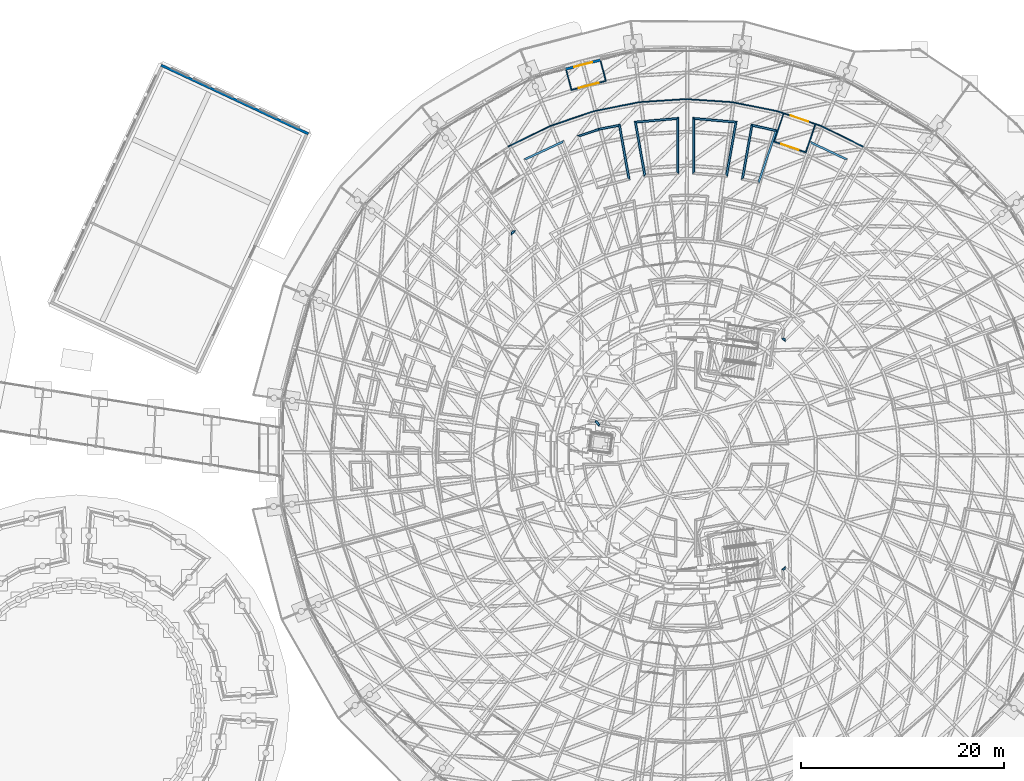
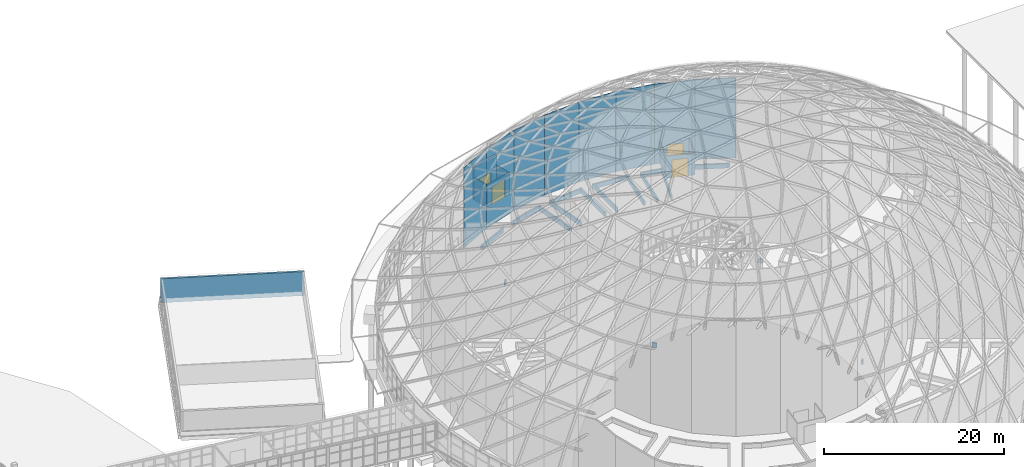
# One storey, part 181 of 226: 34 walls, 4 doors, 4 openings.
"""IFC4 building model written with IfcOpenShell, lengths in metres."""

from ifc_helpers import new_model, si_unit, direction, frame, frame_2d, origin, place, context, subcontext, project, spatial, polyline, rectangle, outline, extrude, material, layer, layer_set, type_object, element, fill, save


model = new_model("IFC4")

# Units and contexts
model_context = context("Model", 3, precision=1e-05, world=origin(), true_north=direction((0.0, 1.0)))
body_context = subcontext(model_context, "Body", "Model", "MODEL_VIEW")
ifc_project = project(units=[si_unit("LENGTHUNIT", "METRE"), si_unit("AREAUNIT", "SQUARE_METRE"), si_unit("VOLUMEUNIT", "CUBIC_METRE"), si_unit("PLANEANGLEUNIT", "RADIAN"), si_unit("MASSUNIT", "GRAM", prefix="KILO")], contexts=[model_context])

# Site, building, storey
site_placement = place(None, origin())
site = spatial("IfcSite", under=ifc_project, at=site_placement, CompositionType="ELEMENT")
building_placement = place(site_placement, origin())
building = spatial("IfcBuilding", under=site, at=building_placement, Name="Ceibo Conservatory and Research Tower", CompositionType="ELEMENT")
storey_placement = place(building_placement, origin())
storey = spatial("IfcBuildingStorey", under=building, at=storey_placement, Name="L00", CompositionType="ELEMENT", Elevation=0.0)

# Wall
ifc_material_1 = material(Name="Aluminium and glass", Category="aluminium")
ifc_layer_1 = layer(ifc_material_1, 0.10009765625)
ifc_layer_set_1 = layer_set([ifc_layer_1], Name="Aluminium and glass")
wall_type_1 = type_object("IfcWallType", Name="Airlock screen wall 100", PredefinedType="PARTITIONING", material=ifc_layer_set_1)
wall_1_placement = place(storey_placement, frame((147.627197265625, 146.675537109375, 0.0), z_axis=(0.0, 0.0, 1.0), x_axis=(0.254637503204, -0.967036577365, 0.0)))
element("IfcWall", 1, at=wall_1_placement, inside=storey, type_object=wall_type_1, Name="Vestibule wall A-VW07", PredefinedType="PARTITIONING", context=body_context, shape_type="SweptSolid", body=[
    extrude(outline(polyline([(0.0, -0.050048828125), (1.949951171875, -0.050048828125), (2.050048828125, 0.050048828125), (0.0, 0.050048828125), (0.0, -0.050048828125)])), origin(), (0.0, 0.0, 1.0), 3.0),
])

# Wall, opening, door
wall_2_placement = place(storey_placement, frame((148.136474609375, 144.741455078125, 0.0), z_axis=(0.0, 0.0, 1.0), x_axis=(-0.967047425918, -0.254596300101, 0.0)))
wall_2 = element("IfcWall", 2, at=wall_2_placement, inside=storey, type_object=wall_type_1, Name="Vestibule wall A-VW07", PredefinedType="PARTITIONING", context=body_context, shape_type="SweptSolid", body=[
    extrude(outline(polyline([(0.050048828125, -0.050048828125), (3.449951171875, -0.050048828125), (3.550048828125, 0.050048828125), (-0.050048828125, 0.050048828125), (0.050048828125, -0.050048828125)])), origin(), (0.0, 0.0, 1.0), 3.0),
])
opening_1_placement = place(wall_2_placement, frame((0.75, 0.0, 0.0)))
opening_1 = element("IfcOpeningElement", 3, at=opening_1_placement, cuts=wall_2, Name="Opening A-VD07", PredefinedType="OPENING", context=body_context, shape_type="SweptSolid", body=[
    extrude(rectangle(XDim=2.0, YDim=2.39990234375, at=frame_2d((1.0, 1.199951171875))), frame((0.0, 0.06005859375, 0.0), z_axis=(0.0, -1.0, 0.0), x_axis=(1.0, 0.0, 0.0)), (0.0, 0.0, 1.0), 0.1201171875),
])
door_type_1 = type_object("IfcDoorType", Name="Gallery sliding door 2000x2400", OperationType="DOUBLE_DOOR_SLIDING", PredefinedType="DOOR", material=ifc_material_1)
door_1_placement = place(opening_1_placement, origin())
door_1 = element("IfcDoor", 4, at=door_1_placement, inside=storey, type_object=door_type_1, Name="Vestibule door A-VD07", OperationType="DOUBLE_DOOR_SLIDING", OverallHeight=2.39990234375, OverallWidth=2.0, PredefinedType="DOOR", context=body_context, shape_type="SweptSolid", body=[
    extrude(rectangle(XDim=2.0, YDim=2.39990234375, at=frame_2d((1.0, 1.199951171875))), frame((0.0, 0.02490234375, 0.0), z_axis=(0.0, -1.0, 0.0), x_axis=(1.0, 0.0, 0.0)), (0.0, 0.0, 1.0), 0.050048828125),
])
fill(opening_1, door_1)

# Walls
wall_3_placement = place(storey_placement, frame((144.751708984375, 143.850341796875, 0.0), z_axis=(0.0, 0.0, 1.0), x_axis=(-0.254637503204, 0.967036577365, 0.0)))
element("IfcWall", 5, at=wall_3_placement, inside=storey, type_object=wall_type_1, Name="Vestibule wall A-VW07", PredefinedType="PARTITIONING", context=body_context, shape_type="SweptSolid", body=[
    extrude(outline(polyline([(0.050048828125, -0.050048828125), (2.0, -0.050048828125), (2.0, 0.050048828125), (-0.050048828125, 0.050048828125), (0.050048828125, -0.050048828125)])), origin(), (0.0, 0.0, 1.0), 3.0),
])
wall_4_placement = place(storey_placement, frame((173.474853515625, 138.267578125, 0.0), z_axis=(0.0, 0.0, 1.0), x_axis=(-0.896870290184, 0.442293661028, 0.0)))
element("IfcWall", 6, at=wall_4_placement, inside=storey, type_object=wall_type_1, Name="Glazed partition O", PredefinedType="PARTITIONING", context=body_context, shape_type="SweptSolid", body=[
    extrude(outline(polyline([(-0.003173828125, -0.050048828125), (4.57470703125, -0.050048828125), (4.568359375, 0.050048828125), (0.003173828125, 0.050048828125), (-0.003173828125, -0.050048828125)])), origin(), (0.0, 0.0, 1.0), 10.841552734375),
])

# Wall, opening, door
wall_5_placement = place(storey_placement, frame((169.374755859375, 140.28955078125, 0.0), z_axis=(0.0, 0.0, 1.0), x_axis=(-0.946933427818, 0.321429748592, 0.0)))
wall_5 = element("IfcWall", 7, at=wall_5_placement, inside=storey, type_object=wall_type_1, Name="Glazed partition O", PredefinedType="PARTITIONING", context=body_context, shape_type="SweptSolid", body=[
    extrude(outline(polyline([(-0.003173828125, -0.050048828125), (4.574951171875, -0.050048828125), (4.568603515625, 0.050048828125), (0.003173828125, 0.050048828125), (-0.003173828125, -0.050048828125)])), origin(), (0.0, 0.0, 1.0), 10.84130859375),
])
opening_2_placement = place(wall_5_placement, frame((1.3857421875, 0.0, 0.0)))
opening_2 = element("IfcOpeningElement", 8, at=opening_2_placement, cuts=wall_5, Name="Opening A-AL01", PredefinedType="OPENING", context=body_context, shape_type="SweptSolid", body=[
    extrude(rectangle(XDim=1.800048828125, YDim=2.39990234375, at=frame_2d((0.89990234375, 1.199951171875))), frame((0.0, 0.06005859375, 0.0), z_axis=(0.0, -1.0, 0.0), x_axis=(1.0, 0.0, 0.0)), (0.0, 0.0, 1.0), 0.1201171875),
])
door_type_2 = type_object("IfcDoorType", Name="Glass sliding door 1800x2400", OperationType="DOUBLE_DOOR_SLIDING", PredefinedType="DOOR", material=ifc_material_1)
door_2_placement = place(opening_2_placement, origin())
door_2 = element("IfcDoor", 9, at=door_2_placement, inside=storey, type_object=door_type_2, Name="Airlock door A-AL01", OperationType="DOUBLE_DOOR_SLIDING", OverallHeight=2.39990234375, OverallWidth=1.800048828125, PredefinedType="DOOR", context=body_context, shape_type="SweptSolid", body=[
    extrude(rectangle(XDim=1.800048828125, YDim=2.39990234375, at=frame_2d((0.89990234375, 1.199951171875))), frame((0.0, 0.02490234375, 0.0), z_axis=(0.0, -1.0, 0.0), x_axis=(1.0, 0.0, 0.0)), (0.0, 0.0, 1.0), 0.050048828125),
])
fill(opening_2, door_2)

# Walls
wall_6_placement = place(storey_placement, frame((165.045654296875, 141.759033203125, 0.0), z_axis=(0.0, 0.0, 1.0), x_axis=(-0.9807875747, 0.195078787454, 0.0)))
element("IfcWall", 10, at=wall_6_placement, inside=storey, type_object=wall_type_1, Name="Glazed partition O", PredefinedType="PARTITIONING", context=body_context, shape_type="SweptSolid", body=[
    extrude(outline(polyline([(-0.003173828125, -0.050048828125), (4.574951171875, -0.050048828125), (4.568603515625, 0.050048828125), (0.003173828125, 0.050048828125), (-0.003173828125, -0.050048828125)])), origin(), (0.0, 0.0, 1.0), 10.841552734375),
])
wall_7_placement = place(storey_placement, frame((160.561767578125, 142.65087890625, 0.0), z_axis=(0.0, 0.0, 1.0), x_axis=(-0.997857806405, 0.065420166596, 0.0)))
element("IfcWall", 11, at=wall_7_placement, inside=storey, type_object=wall_type_1, Name="Glazed partition O", PredefinedType="PARTITIONING", context=body_context, shape_type="SweptSolid", body=[
    extrude(outline(polyline([(-0.003173828125, -0.050048828125), (4.57470703125, -0.050048828125), (4.568359375, 0.050048828125), (0.003173828125, 0.050048828125), (-0.003173828125, -0.050048828125)])), origin(), (0.0, 0.0, 1.0), 10.841552734375),
])
wall_8_placement = place(storey_placement, frame((156.0, 142.949951171875, 0.0), z_axis=(0.0, 0.0, 1.0), x_axis=(-0.997857806405, -0.065420166596, 0.0)))
element("IfcWall", 12, at=wall_8_placement, inside=storey, type_object=wall_type_1, Name="Glazed partition O", PredefinedType="PARTITIONING", context=body_context, shape_type="SweptSolid", body=[
    extrude(outline(polyline([(-0.003173828125, -0.050048828125), (4.57470703125, -0.050048828125), (4.568359375, 0.050048828125), (0.003173828125, 0.050048828125), (-0.003173828125, -0.050048828125)])), origin(), (0.0, 0.0, 1.0), 10.84130859375),
])
for number, where, z_axis, x_axis, name in (
    (13, (151.438232421875, 142.65087890625, 0.0), (0.0, 0.0, 1.0), (-0.9807875747, -0.195078787454, 0.0), "Glazed partition O"),
    (14, (146.954345703125, 141.759033203125, 0.0), (0.0, 0.0, 1.0), (-0.946933427818, -0.321429748592, 0.0), "Glazed partition O"),
):
    element("IfcWall", number, at=place(storey_placement, frame(where, z_axis=z_axis, x_axis=x_axis)), inside=storey, type_object=wall_type_1, Name=name, PredefinedType="PARTITIONING", context=body_context, shape_type="SweptSolid", body=[
        extrude(outline(polyline([(-0.003173828125, -0.050048828125), (4.574951171875, -0.050048828125), (4.568603515625, 0.050048828125), (0.003173828125, 0.050048828125), (-0.003173828125, -0.050048828125)])), origin(), (0.0, 0.0, 1.0), 10.841552734375),
    ])
wall_9_placement = place(storey_placement, frame((142.625244140625, 140.28955078125, 0.0), z_axis=(0.0, 0.0, 1.0), x_axis=(-0.896870290184, -0.442293661028, 0.0)))
element("IfcWall", 15, at=wall_9_placement, inside=storey, type_object=wall_type_1, Name="Glazed partition O", PredefinedType="PARTITIONING", context=body_context, shape_type="SweptSolid", body=[
    extrude(outline(polyline([(-0.003173828125, -0.050048828125), (4.57470703125, -0.050048828125), (4.568359375, 0.050048828125), (0.003173828125, 0.050048828125), (-0.003173828125, -0.050048828125)])), origin(), (0.0, 0.0, 1.0), 10.84130859375),
])
for number, where, z_axis, x_axis, name in (
    (16, (168.756591796875, 140.446533203125, 0.0), (0.0, 0.0, 1.0), (-0.321414318139, -0.946938665435, 0.0), "Glazed partition A"),
    (17, (165.631591796875, 141.50732421875, 0.0), (0.0, 0.0, 1.0), (-0.321414318139, -0.946938665435, 0.0), "Glazed partition A"),
):
    element("IfcWall", number, at=place(storey_placement, frame(where, z_axis=z_axis, x_axis=x_axis)), inside=storey, type_object=wall_type_1, Name=name, PredefinedType="PARTITIONING", context=body_context, shape_type="SweptSolid", body=[
        extrude(rectangle(XDim=2.849853515625, YDim=0.10009765625, at=frame_2d((1.4248046875, 0.0))), origin(), (0.0, 0.0, 1.0), 3.0),
    ])

# Wall, opening, door
wall_10_placement = place(storey_placement, frame((167.871826171875, 137.684326171875, 0.0), z_axis=(0.0, 0.0, 1.0), x_axis=(-0.94692407034, 0.321457314446, 0.0)))
wall_10 = element("IfcWall", 18, at=wall_10_placement, inside=storey, type_object=wall_type_1, Name="Glazed partition A", PredefinedType="PARTITIONING", context=body_context, shape_type="SweptSolid", body=[
    extrude(rectangle(XDim=3.400146484375, YDim=0.10009765625, at=frame_2d((1.7001953125, 0.0))), origin(), (0.0, 0.0, 1.0), 3.0),
])
opening_3_placement = place(wall_10_placement, frame((0.800048828125, 0.0, 0.0)))
opening_3 = element("IfcOpeningElement", 19, at=opening_3_placement, cuts=wall_10, Name="Opening A-AL02", PredefinedType="OPENING", context=body_context, shape_type="SweptSolid", body=[
    extrude(rectangle(XDim=1.800048828125, YDim=2.39990234375, at=frame_2d((0.89990234375, 1.199951171875))), frame((0.0, 0.06005859375, 0.0), z_axis=(0.0, -1.0, 0.0), x_axis=(1.0, 0.0, 0.0)), (0.0, 0.0, 1.0), 0.1201171875),
])
door_3_placement = place(opening_3_placement, origin())
door_3 = element("IfcDoor", 20, at=door_3_placement, inside=storey, type_object=door_type_2, Name="Airlock door A-AL02", OperationType="DOUBLE_DOOR_SLIDING", OverallHeight=2.39990234375, OverallWidth=1.800048828125, PredefinedType="DOOR", context=body_context, shape_type="SweptSolid", body=[
    extrude(rectangle(XDim=1.800048828125, YDim=2.39990234375, at=frame_2d((0.89990234375, 1.199951171875))), frame((0.0, 0.02490234375, 0.0), z_axis=(0.0, -1.0, 0.0), x_axis=(1.0, 0.0, 0.0)), (0.0, 0.0, 1.0), 0.050048828125),
])
fill(opening_3, door_3)

# Walls
ifc_material_2 = material(Name="Masonry blockwork", Category="masonry")
ifc_layer_2 = layer(ifc_material_2, 0.199951171875)
ifc_layer_set_2 = layer_set([ifc_layer_2], Name="Masonry blockwork")
wall_type_2 = type_object("IfcWallType", Name="Dome planter wall 200", PredefinedType="SOLIDWALL", material=ifc_layer_set_2)
wall_11_placement = place(storey_placement, frame((147.109375, 111.251220703125, 0.0), z_axis=(0.0, 0.0, 1.0), x_axis=(0.682843612635, -0.730564576669, 0.0)))
element("IfcWall", 21, at=wall_11_placement, inside=storey, type_object=wall_type_2, Name="Planter wall A-PB005", PredefinedType="SOLIDWALL", context=body_context, shape_type="SweptSolid", body=[
    extrude(outline(polyline([(0.039794921875, -0.10009765625), (0.597900390625, -0.10009765625), (0.527587890625, 0.10009765625), (-0.039794921875, 0.10009765625), (0.039794921875, -0.10009765625)])), origin(), (0.0, 0.0, 1.0), 0.60009765625),
])
wall_12_placement = place(storey_placement, frame((165.556640625, 119.39501953125, 0.0), z_axis=(0.0, 0.0, 1.0), x_axis=(0.75151881777, -0.659711654086, 0.0)))
element("IfcWall", 22, at=wall_12_placement, inside=storey, type_object=wall_type_2, Name="Planter wall A-PB011", PredefinedType="SOLIDWALL", context=body_context, shape_type="SweptSolid", body=[
    extrude(outline(polyline([(-0.05126953125, -0.10009765625), (0.394287109375, -0.10009765625), (0.206787109375, 0.10009765625), (0.05126953125, 0.10009765625), (-0.05126953125, -0.10009765625)])), origin(), (0.0, 0.0, 1.0), 0.60009765625),
])
wall_13_placement = place(storey_placement, frame((165.782470703125, 96.80322265625, 0.0), z_axis=(0.0, 0.0, 1.0), x_axis=(-0.75151881777, -0.659711654086, 0.0)))
element("IfcWall", 23, at=wall_13_placement, inside=storey, type_object=wall_type_2, Name="Planter wall A-PB019", PredefinedType="SOLIDWALL", context=body_context, shape_type="SweptSolid", body=[
    extrude(outline(polyline([(-0.09375, -0.10009765625), (0.351806640625, -0.10009765625), (0.249267578125, 0.10009765625), (0.09375, 0.10009765625), (-0.09375, -0.10009765625)])), origin(), (0.0, 0.0, 1.0), 0.60009765625),
])
wall_14_placement = place(storey_placement, frame((171.830078125, 137.0185546875, 0.0), z_axis=(0.0, 0.0, 1.0), x_axis=(-0.903406435304, 0.428785275694, 0.0)))
element("IfcWall", 24, at=wall_14_placement, inside=storey, type_object=wall_type_2, Name="Planter wall A-PB038", PredefinedType="SOLIDWALL", context=body_context, shape_type="SweptSolid", body=[
    extrude(outline(polyline([(-0.1083984375, -0.10009765625), (4.00048828125, -0.10009765625), (3.77587890625, 0.10009765625), (0.1083984375, 0.10009765625), (-0.1083984375, -0.10009765625)])), origin(), (0.0, 0.0, 1.0), 0.60009765625),
])
wall_15_placement = place(storey_placement, frame((163.180908203125, 134.754150390625, 0.0), z_axis=(0.0, 0.0, 1.0), x_axis=(0.321455637484, 0.946924639625, 0.0)))
element("IfcWall", 25, at=wall_15_placement, inside=storey, type_object=wall_type_2, Name="Planter wall A-PB039", PredefinedType="SOLIDWALL", context=body_context, shape_type="SweptSolid", body=[
    extrude(outline(polyline([(-0.087646484375, -0.10009765625), (5.486083984375, -0.10009765625), (5.263427734375, 0.10009765625), (0.087646484375, 0.10009765625), (-0.087646484375, -0.10009765625)])), origin(), (0.0, 0.0, 1.0), 0.60009765625),
])
wall_16_placement = place(storey_placement, frame((164.90869140625, 139.84375, 0.0), z_axis=(0.0, 0.0, 1.0), x_axis=(-0.975998824768, 0.21777578849, 0.0)))
element("IfcWall", 26, at=wall_16_placement, inside=storey, type_object=wall_type_2, Name="Planter wall A-PB039", PredefinedType="SOLIDWALL", context=body_context, shape_type="SweptSolid", body=[
    extrude(outline(polyline([(-0.111328125, -0.10009765625), (2.550537109375, -0.10009765625), (2.341552734375, 0.10009765625), (0.111328125, 0.10009765625), (-0.111328125, -0.10009765625)])), origin(), (0.0, 0.0, 1.0), 0.60009765625),
])
wall_17_placement = place(storey_placement, frame((162.521240234375, 140.37646484375, 0.0), z_axis=(0.0, 0.0, 1.0), x_axis=(-0.173666405549, -0.984804538771, 0.0)))
element("IfcWall", 27, at=wall_17_placement, inside=storey, type_object=wall_type_2, Name="Planter wall A-PB039", PredefinedType="SOLIDWALL", context=body_context, shape_type="SweptSolid", body=[
    extrude(outline(polyline([(-0.1044921875, -0.10009765625), (5.48486328125, -0.10009765625), (5.2890625, 0.10009765625), (0.1044921875, 0.10009765625), (-0.1044921875, -0.10009765625)])), origin(), (0.0, 0.0, 1.0), 0.60009765625),
])
wall_18_placement = place(storey_placement, frame((160.01416015625, 135.373046875, 0.0), z_axis=(0.0, 0.0, 1.0), x_axis=(0.173656105223, 0.984806355137, 0.0)))
element("IfcWall", 28, at=wall_18_placement, inside=storey, type_object=wall_type_2, Name="Planter wall A-PB040", PredefinedType="SOLIDWALL", context=body_context, shape_type="SweptSolid", body=[
    extrude(outline(polyline([(-0.09130859375, -0.10009765625), (5.497802734375, -0.10009765625), (5.279541015625, 0.10009765625), (0.09130859375, 0.10009765625), (-0.09130859375, -0.10009765625)])), origin(), (0.0, 0.0, 1.0), 0.60009765625),
])
wall_19_placement = place(storey_placement, frame((160.949951171875, 140.679931640625, 0.0), z_axis=(0.0, 0.0, 1.0), x_axis=(-0.996154560128, 0.087613311413, 0.0)))
element("IfcWall", 29, at=wall_19_placement, inside=storey, type_object=wall_type_2, Name="Planter wall A-PB040", PredefinedType="SOLIDWALL", context=body_context, shape_type="SweptSolid", body=[
    extrude(outline(polyline([(-0.109130859375, -0.10009765625), (4.275146484375, -0.10009765625), (4.056884765625, 0.10009765625), (0.109130859375, 0.10009765625), (-0.109130859375, -0.10009765625)])), origin(), (0.0, 0.0, 1.0), 0.60009765625),
])
wall_20_placement = place(storey_placement, frame((156.800048828125, 141.044921875, 0.0), z_axis=(0.0, 0.0, 1.0), x_axis=(0.0, -1.0, 0.0)))
element("IfcWall", 30, at=wall_20_placement, inside=storey, type_object=wall_type_2, Name="Planter wall A-PB040", PredefinedType="SOLIDWALL", context=body_context, shape_type="SweptSolid", body=[
    extrude(outline(polyline([(-0.109130859375, -0.10009765625), (5.49072265625, -0.10009765625), (5.30712890625, 0.10009765625), (0.109130859375, 0.10009765625), (-0.109130859375, -0.10009765625)])), origin(), (0.0, 0.0, 1.0), 0.60009765625),
])
wall_21_placement = place(storey_placement, frame((155.199951171875, 135.64599609375, 0.0), z_axis=(0.0, 0.0, 1.0), x_axis=(0.0, 1.0, 0.0)))
element("IfcWall", 31, at=wall_21_placement, inside=storey, type_object=wall_type_2, Name="Planter wall A-PB041", PredefinedType="SOLIDWALL", context=body_context, shape_type="SweptSolid", body=[
    extrude(outline(polyline([(-0.091796875, -0.10009765625), (5.508056640625, -0.10009765625), (5.289794921875, 0.10009765625), (0.091796875, 0.10009765625), (-0.091796875, -0.10009765625)])), origin(), (0.0, 0.0, 1.0), 0.60009765625),
])
wall_22_placement = place(storey_placement, frame((155.199951171875, 141.044921875, 0.0), z_axis=(0.0, 0.0, 1.0), x_axis=(-0.996154560128, -0.087613311413, 0.0)))
element("IfcWall", 32, at=wall_22_placement, inside=storey, type_object=wall_type_2, Name="Planter wall A-PB041", PredefinedType="SOLIDWALL", context=body_context, shape_type="SweptSolid", body=[
    extrude(outline(polyline([(-0.109130859375, -0.10009765625), (4.275146484375, -0.10009765625), (4.056884765625, 0.10009765625), (0.109130859375, 0.10009765625), (-0.109130859375, -0.10009765625)])), origin(), (0.0, 0.0, 1.0), 0.60009765625),
])
wall_23_placement = place(storey_placement, frame((151.050048828125, 140.679931640625, 0.0), z_axis=(0.0, 0.0, 1.0), x_axis=(0.173656105223, -0.984806355137, 0.0)))
element("IfcWall", 33, at=wall_23_placement, inside=storey, type_object=wall_type_2, Name="Planter wall A-PB041", PredefinedType="SOLIDWALL", context=body_context, shape_type="SweptSolid", body=[
    extrude(outline(polyline([(-0.109130859375, -0.10009765625), (5.47998046875, -0.10009765625), (5.29736328125, 0.10009765625), (0.109130859375, 0.10009765625), (-0.109130859375, -0.10009765625)])), origin(), (0.0, 0.0, 1.0), 0.60009765625),
])
wall_24_placement = place(storey_placement, frame((150.415283203125, 135.065185546875, 0.0), z_axis=(0.0, 0.0, 1.0), x_axis=(-0.173622706307, 0.98481224396, 0.0)))
element("IfcWall", 34, at=wall_24_placement, inside=storey, type_object=wall_type_2, Name="Planter wall A-PB042", PredefinedType="SOLIDWALL", context=body_context, shape_type="SweptSolid", body=[
    extrude(outline(polyline([(-0.091552734375, -0.10009765625), (5.497802734375, -0.10009765625), (5.293212890625, 0.10009765625), (0.091552734375, 0.10009765625), (-0.091552734375, -0.10009765625)])), origin(), (0.0, 0.0, 1.0), 0.60009765625),
])
wall_25_placement = place(storey_placement, frame((149.478515625, 140.378662109375, 0.0), z_axis=(0.0, 0.0, 1.0), x_axis=(-0.980796205898, -0.195035387804, 0.0)))
element("IfcWall", 35, at=wall_25_placement, inside=storey, type_object=wall_type_2, Name="Planter wall A-PB042", PredefinedType="SOLIDWALL", context=body_context, shape_type="SweptSolid", body=[
    extrude(outline(polyline([(-0.102294921875, -0.10009765625), (2.092041015625, -0.10009765625), (2.078857421875, 0.10009765625), (0.102294921875, 0.10009765625), (-0.102294921875, -0.10009765625)])), origin(), (0.0, 0.0, 1.0), 0.60009765625),
])
wall_26_placement = place(storey_placement, frame((147.43310546875, 139.971923828125, 0.0), z_axis=(0.0, 0.0, 1.0), x_axis=(-0.946912525645, -0.321491319909, 0.0)))
element("IfcWall", 36, at=wall_26_placement, inside=storey, type_object=wall_type_2, Name="Planter wall A-PB042", PredefinedType="SOLIDWALL", context=body_context, shape_type="SweptSolid", body=[
    extrude(outline(polyline([(-0.006591796875, -0.10009765625), (2.1875, -0.10009765625), (1.98291015625, 0.10009765625), (0.006591796875, 0.10009765625), (-0.006591796875, -0.10009765625)])), origin(), (0.0, 0.0, 1.0), 0.60009765625),
])
wall_27_placement = place(storey_placement, frame((143.94677734375, 138.776611328125, 0.0), z_axis=(0.0, 0.0, 1.0), x_axis=(-0.906506273422, -0.422192345082, 0.0)))
element("IfcWall", 37, at=wall_27_placement, inside=storey, type_object=wall_type_2, Name="Planter wall A-PB043", PredefinedType="SOLIDWALL", context=body_context, shape_type="SweptSolid", body=[
    extrude(outline(polyline([(-0.109130859375, -0.10009765625), (4.27490234375, -0.10009765625), (4.056640625, 0.10009765625), (0.109130859375, 0.10009765625), (-0.109130859375, -0.10009765625)])), origin(), (0.0, 0.0, 1.0), 0.60009765625),
])
wall_28_placement = place(storey_placement, frame((138.830078125, 129.706787109375, 0.0), z_axis=(0.0, 0.0, 1.0), x_axis=(0.752036831772, 0.659121084217, 0.0)))
element("IfcWall", 38, at=wall_28_placement, inside=storey, type_object=wall_type_2, Name="Planter wall A-PB044", PredefinedType="SOLIDWALL", context=body_context, shape_type="SweptSolid", body=[
    extrude(outline(polyline([(-0.102294921875, -0.10009765625), (0.508056640625, -0.10009765625), (0.332763671875, 0.10009765625), (0.102294921875, 0.10009765625), (-0.102294921875, -0.10009765625)])), origin(), (0.0, 0.0, 1.0), 0.60009765625),
])

# Wall, opening, door
ifc_material_3 = material(Name="Concrete C35/45", Category="concrete")
ifc_layer_3 = layer(ifc_material_3, 0.25)
ifc_layer_set_3 = layer_set([ifc_layer_3], Name="Concrete C35/45")
wall_type_3 = type_object("IfcWallType", Name="Drum door stub wall 250", PredefinedType="SOLIDWALL", material=ifc_layer_set_3)
wall_29_placement = place(storey_placement, frame((147.643798828125, 146.80908203125, 0.0), z_axis=(0.0, 0.0, 1.0), x_axis=(-0.967051693888, -0.254580088279, 0.0)))
wall_29 = element("IfcWall", 39, at=wall_29_placement, inside=storey, type_object=wall_type_3, Name="Drum door stub wall A-W07", PredefinedType="SOLIDWALL", context=body_context, shape_type="SweptSolid", body=[
    extrude(rectangle(XDim=3.60009765625, YDim=0.25, at=frame_2d((1.800048828125, 0.0))), origin(), (0.0, 0.0, 1.0), 4.338134765625),
])
opening_4_placement = place(wall_29_placement, frame((0.89990234375, 0.0, 0.0)))
opening_4 = element("IfcOpeningElement", 40, at=opening_4_placement, cuts=wall_29, Name="Opening A-D02", PredefinedType="OPENING", context=body_context, shape_type="SweptSolid", body=[
    extrude(rectangle(XDim=1.800048828125, YDim=2.39990234375, at=frame_2d((0.89990234375, 1.199951171875))), frame((0.0, 0.135009765625, 0.0), z_axis=(0.0, -1.0, 0.0), x_axis=(1.0, 0.0, 0.0)), (0.0, 0.0, 1.0), 0.27001953125),
])
door_type_3 = type_object("IfcDoorType", Name="Drum double door 1800x2400", OperationType="DOUBLE_DOOR_SINGLE_SWING", PredefinedType="DOOR", material=ifc_material_1)
door_4_placement = place(opening_4_placement, frame((1.800048828125, 0.0, 0.0), z_axis=(0.0, 0.0, 1.0), x_axis=(-1.0, 0.0, 0.0)))
door_4 = element("IfcDoor", 41, at=door_4_placement, inside=storey, type_object=door_type_3, Name="Drum door A-D02", OperationType="DOUBLE_DOOR_SINGLE_SWING", OverallHeight=2.39990234375, OverallWidth=1.800048828125, PredefinedType="DOOR", context=body_context, shape_type="SweptSolid", body=[
    extrude(rectangle(XDim=1.800048828125, YDim=2.39990234375, at=frame_2d((0.89990234375, 1.199951171875))), frame((0.0, 0.02490234375, 0.0), z_axis=(0.0, -1.0, 0.0), x_axis=(1.0, 0.0, 0.0)), (0.0, 0.0, 1.0), 0.050048828125),
])
fill(opening_4, door_4)

# Wall
ifc_layer_4 = layer(ifc_material_3, 0.25)
ifc_layer_set_4 = layer_set([ifc_layer_4], Name="Concrete C35/45")
wall_type_4 = type_object("IfcWallType", Name="RC annex wall 250", PredefinedType="SOLIDWALL", material=ifc_layer_set_4)
wall_30_placement = place(storey_placement, frame((118.8447265625, 139.53173828125, -0.25), z_axis=(0.0, 0.0, 1.0), x_axis=(-0.906306674627, 0.422620647302, 0.0)))
element("IfcWall", 42, at=wall_30_placement, inside=storey, type_object=wall_type_4, Name="Plant annex wall A-AW04", PredefinedType="SOLIDWALL", context=body_context, shape_type="SweptSolid", body=[
    extrude(rectangle(XDim=16.0, YDim=0.25, at=frame_2d((8.0, 0.0))), origin(), (0.0, 0.0, 1.0), 3.25),
])

save(model, "model.ifc")
